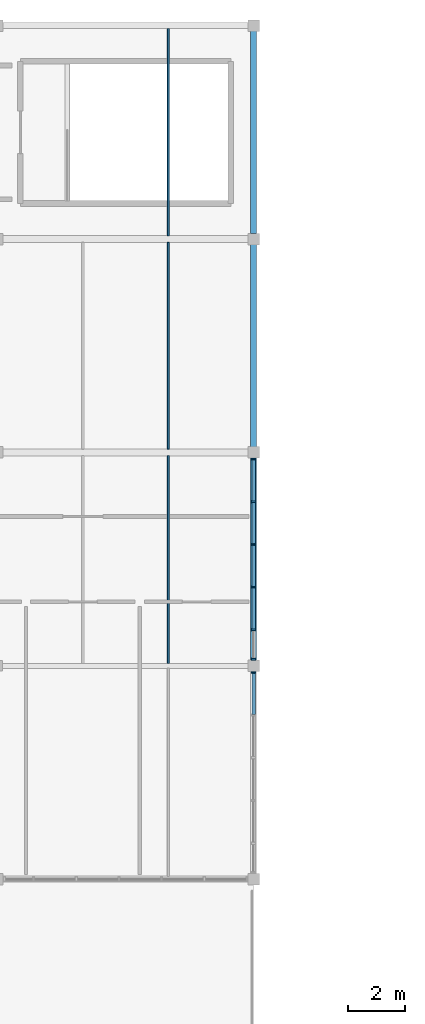
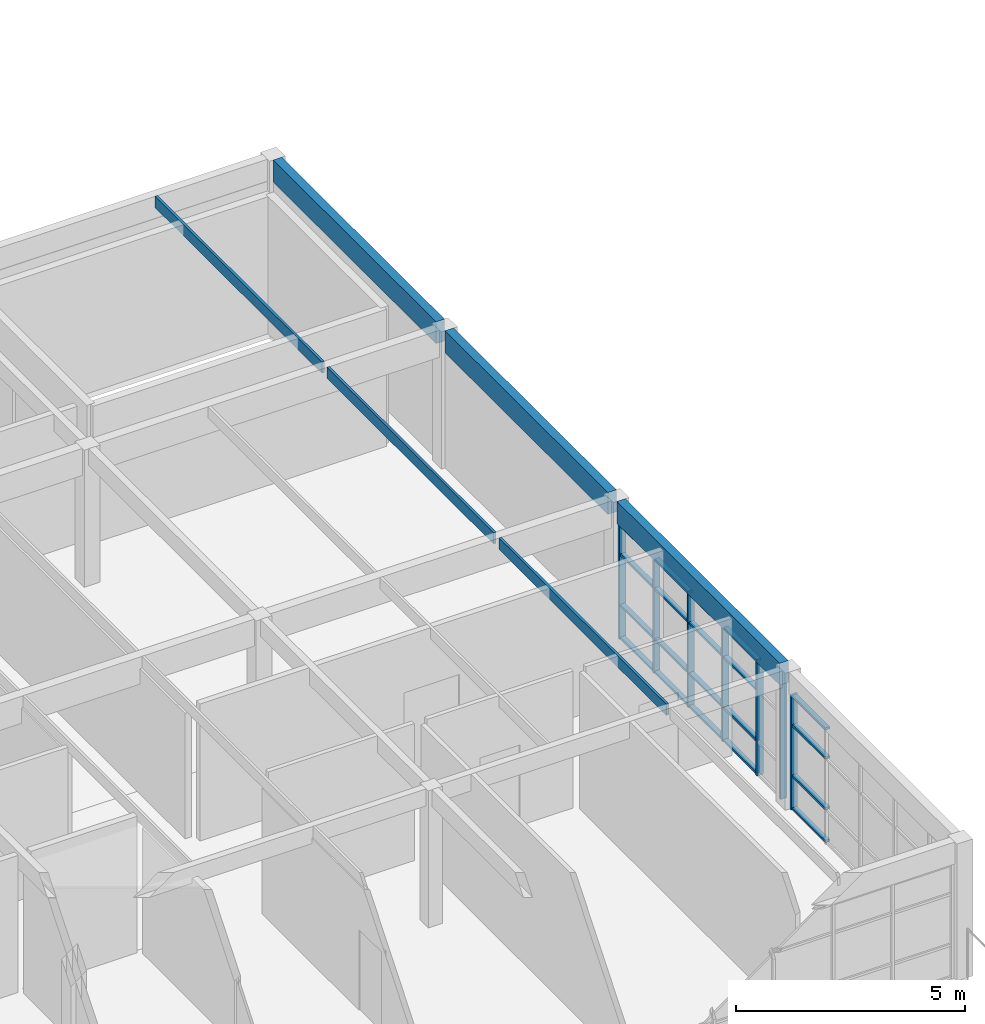
# One storey, part 19 of 45: 27 members, 6 beams, 2 elements without a shape of their own.
"""IFC4 building model written with IfcOpenShell, lengths in metres."""

from ifc_helpers import new_model, si_unit, direction, frame, origin, origin_2d, place, context, subcontext, project, spatial, rectangle, extrude, material, layer, layer_set, material_profile, profile_set, type_object, element, aggregate, save


model = new_model("IFC4")

# Units and contexts
model_context = context("Model", 3, precision=1e-05, world=origin(), true_north=direction((0.0, 1.0)))
body_context = subcontext(model_context, "Body", "Model", "MODEL_VIEW")
ifc_project = project(units=[si_unit("LENGTHUNIT", "METRE"), si_unit("AREAUNIT", "SQUARE_METRE"), si_unit("VOLUMEUNIT", "CUBIC_METRE"), si_unit("PLANEANGLEUNIT", "RADIAN"), si_unit("MASSUNIT", "GRAM", prefix="KILO")], contexts=[model_context])

# Site, building, storey
site_placement = place(None, origin())
site = spatial("IfcSite", under=ifc_project, at=site_placement, CompositionType="ELEMENT")
building_placement = place(site_placement, origin())
building = spatial("IfcBuilding", under=site, at=building_placement, Name="Marnridge Secondary College", CompositionType="ELEMENT")
storey_placement = place(building_placement, frame((0.0, 0.0, 12.300048828125)))
storey = spatial("IfcBuildingStorey", under=building, at=storey_placement, Name="L03", CompositionType="ELEMENT", Elevation=12.300048828125)

# Beams
ifc_material_1 = material(Name="Glulam timber GL18", Category="wood")
ifc_material_profile_1 = material_profile(ifc_material_1, rectangle(XDim=0.215087890625, YDim=0.5849609375, at=origin_2d()), Name="GL18 215x585")
ifc_profile_set_1 = profile_set([ifc_material_profile_1], Name="Glulam timber GL18")
beam_type_1 = type_object("IfcBeamType", Name="BM-GL585-EXT", PredefinedType="SPANDREL", material=ifc_profile_set_1)
for number, where, z_axis, x_axis, name in (
    (1, (36.0, 97.694091796875, 3.357421875), (0.0, 1.0, 0.0), (-1.0, 0.0, 0.0), "Beam BRF-L03-1346"),
    (2, (36.0, 105.194091796875, 3.357421875), (0.0, 1.0, 0.0), (-1.0, 0.0, 0.0), "Beam BRF-L03-1348"),
    (3, (36.0, 112.694091796875, 3.357421875), (0.0, 1.0, 0.0), (-1.0, 0.0, 0.0), "Beam BRF-L03-1350"),
):
    element("IfcBeam", number, at=place(storey_placement, frame(where, z_axis=z_axis, x_axis=x_axis)), inside=storey, type_object=beam_type_1, Name=name, PredefinedType="SPANDREL", context=body_context, shape_type="SweptSolid", body=[
        extrude(rectangle(XDim=0.215087890625, YDim=0.5849609375, at=origin_2d()), origin(), (0.0, 0.0, 1.0), 7.11181640625),
    ])
ifc_material_2 = material(Name="Engineered timber LVL E13.2", Category="wood")
ifc_material_profile_2 = material_profile(ifc_material_2, rectangle(XDim=0.06298828125, YDim=0.300048828125, at=origin_2d()), Name="LVL 63x300")
ifc_profile_set_2 = profile_set([ifc_material_profile_2], Name="Engineered timber LVL E13.2")
beam_type_2 = type_object("IfcBeamType", Name="BM-LVL300-INT", PredefinedType="JOIST", material=ifc_profile_set_2)
beam_1_placement = place(storey_placement, frame((33.0, 97.58154296875, 3.5), z_axis=(0.0, 1.0, 0.0), x_axis=(-1.0, 0.0, 0.0)))
element("IfcBeam", 4, at=beam_1_placement, inside=storey, type_object=beam_type_2, Name="Beam BJ-L03-1376", PredefinedType="JOIST", context=body_context, shape_type="SweptSolid", body=[
    extrude(rectangle(XDim=0.06298828125, YDim=0.300048828125, at=origin_2d()), origin(), (0.0, 0.0, 1.0), 7.304443359375),
])
beam_2_placement = place(storey_placement, frame((33.0, 105.114013671875, 3.5), z_axis=(0.0, 1.0, 0.0), x_axis=(-1.0, 0.0, 0.0)))
element("IfcBeam", 5, at=beam_2_placement, inside=storey, type_object=beam_type_2, Name="Beam BJ-L03-1378", PredefinedType="JOIST", context=body_context, shape_type="SweptSolid", body=[
    extrude(rectangle(XDim=0.06298828125, YDim=0.300048828125, at=origin_2d()), origin(), (0.0, 0.0, 1.0), 7.27197265625),
])
beam_3_placement = place(storey_placement, frame((33.0, 112.614013671875, 3.5), z_axis=(0.0, 1.0, 0.0), x_axis=(-1.0, 0.0, 0.0)))
element("IfcBeam", 6, at=beam_3_placement, inside=storey, type_object=beam_type_2, Name="Beam BJ-L03-1379", PredefinedType="JOIST", context=body_context, shape_type="SweptSolid", body=[
    extrude(rectangle(XDim=0.06298828125, YDim=0.300048828125, at=origin_2d()), origin(), (0.0, 0.0, 1.0), 7.284423828125),
])

# Curtain wall, members
ifc_material_3 = material(Name="Thermally broken aluminium and low-E glazing", Category="aluminium")
ifc_layer = layer(ifc_material_3, 0.159912109375)
ifc_layer_set = layer_set([ifc_layer], Name="CW-MOD-1500")
curtain_wall_type = type_object("IfcCurtainWallType", Name="CW-MOD-1500", PredefinedType="NOTDEFINED", material=ifc_layer_set)
curtain_wall_1_placement = place(storey_placement, origin())
curtain_wall_1 = element("IfcCurtainWall", 7, at=curtain_wall_1_placement, inside=storey, type_object=curtain_wall_type, Name="Unitised curtain wall CW-L03-120", PredefinedType="NOTDEFINED")
ifc_material_4 = material(Name="Anodised aluminium 6063-T6", Category="aluminium")
ifc_material_profile_3 = material_profile(ifc_material_4, rectangle(XDim=0.06005859375, YDim=0.159912109375, at=origin_2d()), Name="ALU 60x160")
ifc_profile_set_3 = profile_set([ifc_material_profile_3], Name="Anodised aluminium 6063-T6")
member_type_1 = type_object("IfcMemberType", Name="CWM-ALU160", PredefinedType="MULLION", material=ifc_profile_set_3)
member_1_placement = place(storey_placement, frame((36.0, 104.76611328125, 0.0), z_axis=(0.0, 0.0, 1.0), x_axis=(0.0, -1.0, 0.0)))
member_1 = element("IfcMember", 8, at=member_1_placement, type_object=member_type_1, Name="CW-L03-120 mullion 1", PredefinedType="MULLION", context=body_context, shape_type="SweptSolid", body=[
    extrude(rectangle(XDim=0.06005859375, YDim=0.159912109375, at=origin_2d()), origin(), (0.0, 0.0, 1.0), 3.056884765625),
])
member_2_placement = place(storey_placement, frame((36.0, 103.26611328125, 0.0), z_axis=(0.0, 0.0, 1.0), x_axis=(0.0, -1.0, 0.0)))
member_2 = element("IfcMember", 9, at=member_2_placement, type_object=member_type_1, Name="CW-L03-120 mullion 2", PredefinedType="MULLION", context=body_context, shape_type="SweptSolid", body=[
    extrude(rectangle(XDim=0.06005859375, YDim=0.159912109375, at=origin_2d()), origin(), (0.0, 0.0, 1.0), 3.056884765625),
])
member_3_placement = place(storey_placement, frame((36.0, 101.76611328125, 0.0), z_axis=(0.0, 0.0, 1.0), x_axis=(0.0, -1.0, 0.0)))
member_3 = element("IfcMember", 10, at=member_3_placement, type_object=member_type_1, Name="CW-L03-120 mullion 3", PredefinedType="MULLION", context=body_context, shape_type="SweptSolid", body=[
    extrude(rectangle(XDim=0.06005859375, YDim=0.159912109375, at=origin_2d()), origin(), (0.0, 0.0, 1.0), 3.056884765625),
])
member_4_placement = place(storey_placement, frame((36.0, 100.26611328125, 0.0), z_axis=(0.0, 0.0, 1.0), x_axis=(0.0, -1.0, 0.0)))
member_4 = element("IfcMember", 11, at=member_4_placement, type_object=member_type_1, Name="CW-L03-120 mullion 4", PredefinedType="MULLION", context=body_context, shape_type="SweptSolid", body=[
    extrude(rectangle(XDim=0.06005859375, YDim=0.159912109375, at=origin_2d()), origin(), (0.0, 0.0, 1.0), 3.056884765625),
])
member_5_placement = place(storey_placement, frame((36.0, 98.76611328125, 0.0), z_axis=(0.0, 0.0, 1.0), x_axis=(0.0, -1.0, 0.0)))
member_5 = element("IfcMember", 12, at=member_5_placement, type_object=member_type_1, Name="CW-L03-120 mullion 5", PredefinedType="MULLION", context=body_context, shape_type="SweptSolid", body=[
    extrude(rectangle(XDim=0.06005859375, YDim=0.159912109375, at=origin_2d()), origin(), (0.0, 0.0, 1.0), 3.056884765625),
])
member_6_placement = place(storey_placement, frame((36.0, 97.73388671875, 0.0), z_axis=(0.0, 0.0, 1.0), x_axis=(0.0, -1.0, 0.0)))
member_6 = element("IfcMember", 13, at=member_6_placement, type_object=member_type_1, Name="CW-L03-120 mullion 6", PredefinedType="MULLION", context=body_context, shape_type="SweptSolid", body=[
    extrude(rectangle(XDim=0.06005859375, YDim=0.159912109375, at=origin_2d()), origin(), (0.0, 0.0, 1.0), 3.056884765625),
])

# Curtain wall, member
curtain_wall_2_placement = place(storey_placement, origin())
curtain_wall_2 = element("IfcCurtainWall", 14, at=curtain_wall_2_placement, inside=storey, type_object=curtain_wall_type, Name="Unitised curtain wall CW-L03-121", PredefinedType="NOTDEFINED")
member_7_placement = place(storey_placement, frame((36.0, 97.26611328125, 0.0), z_axis=(0.0, 0.0, 1.0), x_axis=(0.0, -1.0, 0.0)))
member_7 = element("IfcMember", 15, at=member_7_placement, type_object=member_type_1, Name="CW-L03-121 mullion 1", PredefinedType="MULLION", context=body_context, shape_type="SweptSolid", body=[
    extrude(rectangle(XDim=0.06005859375, YDim=0.159912109375, at=origin_2d()), origin(), (0.0, 0.0, 1.0), 3.056884765625),
])

# Member
ifc_material_5 = material(Name="Anodised aluminium 6063-T6", Category="aluminium")
ifc_material_profile_4 = material_profile(ifc_material_5, rectangle(XDim=0.06005859375, YDim=0.1201171875, at=origin_2d()), Name="ALU 60x120")
ifc_profile_set_4 = profile_set([ifc_material_profile_4], Name="Anodised aluminium 6063-T6")
member_type_2 = type_object("IfcMemberType", Name="CWT-ALU120", PredefinedType="USERDEFINED", material=ifc_profile_set_4)
member_8_placement = place(storey_placement, frame((36.0, 104.736083984375, 0.030029296875), z_axis=(0.0, -1.0, 0.0), x_axis=(0.0, 0.0, 1.0)))
member_8 = element("IfcMember", 16, at=member_8_placement, type_object=member_type_2, Name="CW-L03-120 transom 1.1", ObjectType="TRANSOM", PredefinedType="USERDEFINED", context=body_context, shape_type="SweptSolid", body=[
    extrude(rectangle(XDim=0.06005859375, YDim=0.1201171875, at=origin_2d()), origin(), (0.0, 0.0, 1.0), 1.440185546875),
])

member_9_placement = place(storey_placement, frame((36.0, 104.736083984375, 0.89990234375), z_axis=(0.0, -1.0, 0.0), x_axis=(0.0, 0.0, 1.0)))
member_9 = element("IfcMember", 17, at=member_9_placement, type_object=member_type_2, Name="CW-L03-120 transom 1.2", ObjectType="TRANSOM", PredefinedType="USERDEFINED", context=body_context, shape_type="SweptSolid", body=[
    extrude(rectangle(XDim=0.06005859375, YDim=0.1201171875, at=origin_2d()), origin(), (0.0, 0.0, 1.0), 1.440185546875),
])

member_10_placement = place(storey_placement, frame((36.0, 104.736083984375, 2.25), z_axis=(0.0, -1.0, 0.0), x_axis=(0.0, 0.0, 1.0)))
member_10 = element("IfcMember", 18, at=member_10_placement, type_object=member_type_2, Name="CW-L03-120 transom 1.3", ObjectType="TRANSOM", PredefinedType="USERDEFINED", context=body_context, shape_type="SweptSolid", body=[
    extrude(rectangle(XDim=0.06005859375, YDim=0.1201171875, at=origin_2d()), origin(), (0.0, 0.0, 1.0), 1.440185546875),
])

member_11_placement = place(storey_placement, frame((36.0, 104.736083984375, 3.02685546875), z_axis=(0.0, -1.0, 0.0), x_axis=(0.0, 0.0, 1.0)))
member_11 = element("IfcMember", 19, at=member_11_placement, type_object=member_type_2, Name="CW-L03-120 transom 1.4", ObjectType="TRANSOM", PredefinedType="USERDEFINED", context=body_context, shape_type="SweptSolid", body=[
    extrude(rectangle(XDim=0.06005859375, YDim=0.1201171875, at=origin_2d()), origin(), (0.0, 0.0, 1.0), 1.440185546875),
])

member_12_placement = place(storey_placement, frame((36.0, 103.236083984375, 0.030029296875), z_axis=(0.0, -1.0, 0.0), x_axis=(0.0, 0.0, 1.0)))
member_12 = element("IfcMember", 20, at=member_12_placement, type_object=member_type_2, Name="CW-L03-120 transom 2.1", ObjectType="TRANSOM", PredefinedType="USERDEFINED", context=body_context, shape_type="SweptSolid", body=[
    extrude(rectangle(XDim=0.06005859375, YDim=0.1201171875, at=origin_2d()), origin(), (0.0, 0.0, 1.0), 1.440185546875),
])

member_13_placement = place(storey_placement, frame((36.0, 103.236083984375, 0.89990234375), z_axis=(0.0, -1.0, 0.0), x_axis=(0.0, 0.0, 1.0)))
member_13 = element("IfcMember", 21, at=member_13_placement, type_object=member_type_2, Name="CW-L03-120 transom 2.2", ObjectType="TRANSOM", PredefinedType="USERDEFINED", context=body_context, shape_type="SweptSolid", body=[
    extrude(rectangle(XDim=0.06005859375, YDim=0.1201171875, at=origin_2d()), origin(), (0.0, 0.0, 1.0), 1.440185546875),
])

member_14_placement = place(storey_placement, frame((36.0, 103.236083984375, 2.25), z_axis=(0.0, -1.0, 0.0), x_axis=(0.0, 0.0, 1.0)))
member_14 = element("IfcMember", 22, at=member_14_placement, type_object=member_type_2, Name="CW-L03-120 transom 2.3", ObjectType="TRANSOM", PredefinedType="USERDEFINED", context=body_context, shape_type="SweptSolid", body=[
    extrude(rectangle(XDim=0.06005859375, YDim=0.1201171875, at=origin_2d()), origin(), (0.0, 0.0, 1.0), 1.440185546875),
])

member_15_placement = place(storey_placement, frame((36.0, 103.236083984375, 3.02685546875), z_axis=(0.0, -1.0, 0.0), x_axis=(0.0, 0.0, 1.0)))
member_15 = element("IfcMember", 23, at=member_15_placement, type_object=member_type_2, Name="CW-L03-120 transom 2.4", ObjectType="TRANSOM", PredefinedType="USERDEFINED", context=body_context, shape_type="SweptSolid", body=[
    extrude(rectangle(XDim=0.06005859375, YDim=0.1201171875, at=origin_2d()), origin(), (0.0, 0.0, 1.0), 1.440185546875),
])

member_16_placement = place(storey_placement, frame((36.0, 101.736083984375, 0.030029296875), z_axis=(0.0, -1.0, 0.0), x_axis=(0.0, 0.0, 1.0)))
member_16 = element("IfcMember", 24, at=member_16_placement, type_object=member_type_2, Name="CW-L03-120 transom 3.1", ObjectType="TRANSOM", PredefinedType="USERDEFINED", context=body_context, shape_type="SweptSolid", body=[
    extrude(rectangle(XDim=0.06005859375, YDim=0.1201171875, at=origin_2d()), origin(), (0.0, 0.0, 1.0), 1.440185546875),
])

member_17_placement = place(storey_placement, frame((36.0, 101.736083984375, 0.89990234375), z_axis=(0.0, -1.0, 0.0), x_axis=(0.0, 0.0, 1.0)))
member_17 = element("IfcMember", 25, at=member_17_placement, type_object=member_type_2, Name="CW-L03-120 transom 3.2", ObjectType="TRANSOM", PredefinedType="USERDEFINED", context=body_context, shape_type="SweptSolid", body=[
    extrude(rectangle(XDim=0.06005859375, YDim=0.1201171875, at=origin_2d()), origin(), (0.0, 0.0, 1.0), 1.440185546875),
])

member_18_placement = place(storey_placement, frame((36.0, 101.736083984375, 2.25), z_axis=(0.0, -1.0, 0.0), x_axis=(0.0, 0.0, 1.0)))
member_18 = element("IfcMember", 26, at=member_18_placement, type_object=member_type_2, Name="CW-L03-120 transom 3.3", ObjectType="TRANSOM", PredefinedType="USERDEFINED", context=body_context, shape_type="SweptSolid", body=[
    extrude(rectangle(XDim=0.06005859375, YDim=0.1201171875, at=origin_2d()), origin(), (0.0, 0.0, 1.0), 1.440185546875),
])

member_19_placement = place(storey_placement, frame((36.0, 101.736083984375, 3.02685546875), z_axis=(0.0, -1.0, 0.0), x_axis=(0.0, 0.0, 1.0)))
member_19 = element("IfcMember", 27, at=member_19_placement, type_object=member_type_2, Name="CW-L03-120 transom 3.4", ObjectType="TRANSOM", PredefinedType="USERDEFINED", context=body_context, shape_type="SweptSolid", body=[
    extrude(rectangle(XDim=0.06005859375, YDim=0.1201171875, at=origin_2d()), origin(), (0.0, 0.0, 1.0), 1.440185546875),
])

member_20_placement = place(storey_placement, frame((36.0, 100.236083984375, 0.030029296875), z_axis=(0.0, -1.0, 0.0), x_axis=(0.0, 0.0, 1.0)))
member_20 = element("IfcMember", 28, at=member_20_placement, type_object=member_type_2, Name="CW-L03-120 transom 4.1", ObjectType="TRANSOM", PredefinedType="USERDEFINED", context=body_context, shape_type="SweptSolid", body=[
    extrude(rectangle(XDim=0.06005859375, YDim=0.1201171875, at=origin_2d()), origin(), (0.0, 0.0, 1.0), 1.440185546875),
])

member_21_placement = place(storey_placement, frame((36.0, 100.236083984375, 0.89990234375), z_axis=(0.0, -1.0, 0.0), x_axis=(0.0, 0.0, 1.0)))
member_21 = element("IfcMember", 29, at=member_21_placement, type_object=member_type_2, Name="CW-L03-120 transom 4.2", ObjectType="TRANSOM", PredefinedType="USERDEFINED", context=body_context, shape_type="SweptSolid", body=[
    extrude(rectangle(XDim=0.06005859375, YDim=0.1201171875, at=origin_2d()), origin(), (0.0, 0.0, 1.0), 1.440185546875),
])

member_22_placement = place(storey_placement, frame((36.0, 100.236083984375, 2.25), z_axis=(0.0, -1.0, 0.0), x_axis=(0.0, 0.0, 1.0)))
member_22 = element("IfcMember", 30, at=member_22_placement, type_object=member_type_2, Name="CW-L03-120 transom 4.3", ObjectType="TRANSOM", PredefinedType="USERDEFINED", context=body_context, shape_type="SweptSolid", body=[
    extrude(rectangle(XDim=0.06005859375, YDim=0.1201171875, at=origin_2d()), origin(), (0.0, 0.0, 1.0), 1.440185546875),
])

member_23_placement = place(storey_placement, frame((36.0, 100.236083984375, 3.02685546875), z_axis=(0.0, -1.0, 0.0), x_axis=(0.0, 0.0, 1.0)))
member_23 = element("IfcMember", 31, at=member_23_placement, type_object=member_type_2, Name="CW-L03-120 transom 4.4", ObjectType="TRANSOM", PredefinedType="USERDEFINED", context=body_context, shape_type="SweptSolid", body=[
    extrude(rectangle(XDim=0.06005859375, YDim=0.1201171875, at=origin_2d()), origin(), (0.0, 0.0, 1.0), 1.440185546875),
])

aggregate(curtain_wall_1, [member_1, member_2, member_3, member_4, member_5, member_6, member_8, member_9, member_10, member_11, member_12, member_13, member_14, member_15, member_16, member_17, member_18, member_19, member_20, member_21, member_22, member_23])

member_24_placement = place(storey_placement, frame((36.0, 97.236083984375, 0.030029296875), z_axis=(0.0, -1.0, 0.0), x_axis=(0.0, 0.0, 1.0)))
member_24 = element("IfcMember", 32, at=member_24_placement, type_object=member_type_2, Name="CW-L03-121 transom 1.1", ObjectType="TRANSOM", PredefinedType="USERDEFINED", context=body_context, shape_type="SweptSolid", body=[
    extrude(rectangle(XDim=0.06005859375, YDim=0.1201171875, at=origin_2d()), origin(), (0.0, 0.0, 1.0), 1.440185546875),
])

member_25_placement = place(storey_placement, frame((36.0, 97.236083984375, 0.89990234375), z_axis=(0.0, -1.0, 0.0), x_axis=(0.0, 0.0, 1.0)))
member_25 = element("IfcMember", 33, at=member_25_placement, type_object=member_type_2, Name="CW-L03-121 transom 1.2", ObjectType="TRANSOM", PredefinedType="USERDEFINED", context=body_context, shape_type="SweptSolid", body=[
    extrude(rectangle(XDim=0.06005859375, YDim=0.1201171875, at=origin_2d()), origin(), (0.0, 0.0, 1.0), 1.440185546875),
])

member_26_placement = place(storey_placement, frame((36.0, 97.236083984375, 2.25), z_axis=(0.0, -1.0, 0.0), x_axis=(0.0, 0.0, 1.0)))
member_26 = element("IfcMember", 34, at=member_26_placement, type_object=member_type_2, Name="CW-L03-121 transom 1.3", ObjectType="TRANSOM", PredefinedType="USERDEFINED", context=body_context, shape_type="SweptSolid", body=[
    extrude(rectangle(XDim=0.06005859375, YDim=0.1201171875, at=origin_2d()), origin(), (0.0, 0.0, 1.0), 1.440185546875),
])

member_27_placement = place(storey_placement, frame((36.0, 97.236083984375, 3.02685546875), z_axis=(0.0, -1.0, 0.0), x_axis=(0.0, 0.0, 1.0)))
member_27 = element("IfcMember", 35, at=member_27_placement, type_object=member_type_2, Name="CW-L03-121 transom 1.4", ObjectType="TRANSOM", PredefinedType="USERDEFINED", context=body_context, shape_type="SweptSolid", body=[
    extrude(rectangle(XDim=0.06005859375, YDim=0.1201171875, at=origin_2d()), origin(), (0.0, 0.0, 1.0), 1.440185546875),
])

aggregate(curtain_wall_2, [member_7, member_24, member_25, member_26, member_27])

save(model, "model.ifc")
